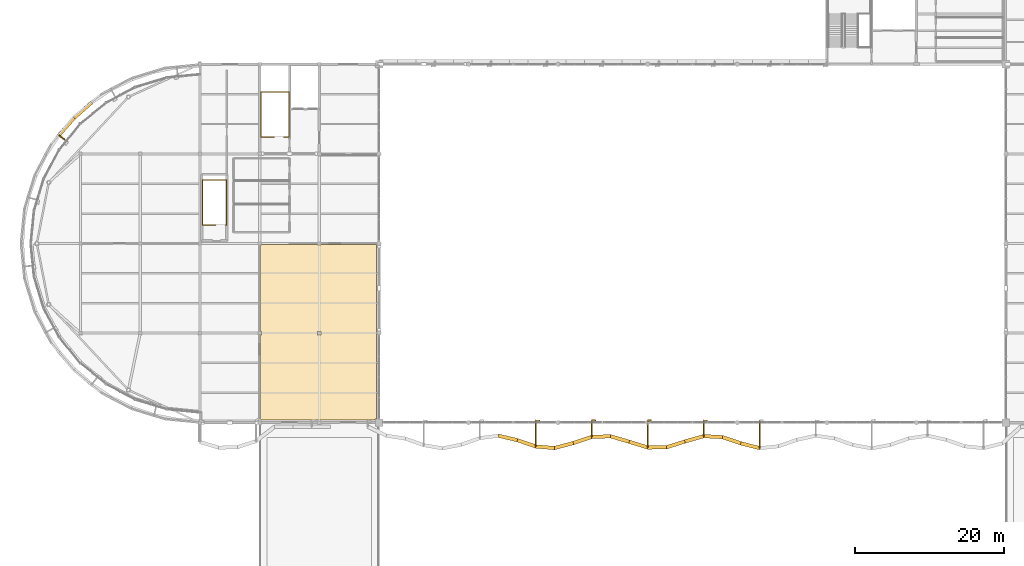
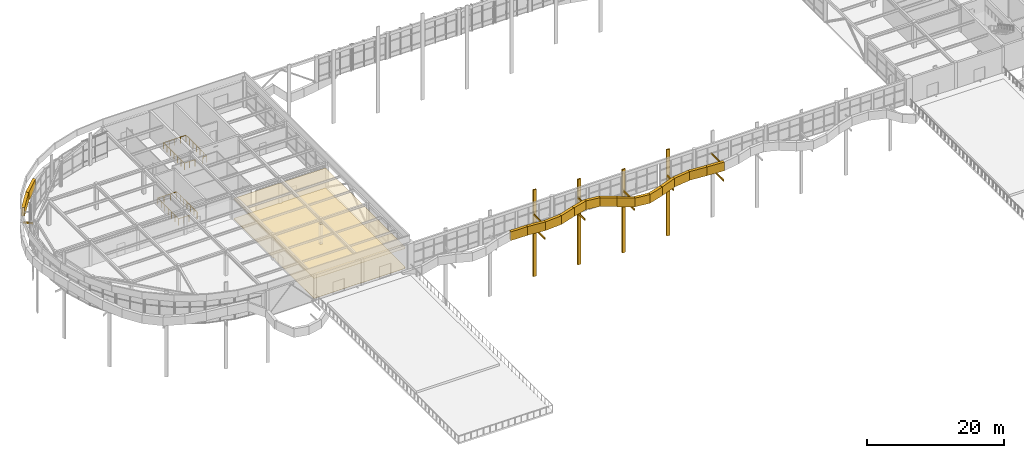
# One storey, part 52 of 63: 33 coverings, 2 railings.
"""IFC4 building model written with IfcOpenShell, lengths in metres."""

from ifc_helpers import new_model, si_unit, direction, frame, frame_2d, origin, origin_2d, place, context, subcontext, project, spatial, polyline, rectangle, circle, outline, extrude, material, layer, layer_set, type_object, element, save


model = new_model("IFC4")

# Units and contexts
model_context = context("Model", 3, precision=1e-05, world=origin(), true_north=direction((0.0, 1.0)))
body_context = subcontext(model_context, "Body", "Model", "MODEL_VIEW")
ifc_project = project(units=[si_unit("LENGTHUNIT", "METRE"), si_unit("AREAUNIT", "SQUARE_METRE"), si_unit("VOLUMEUNIT", "CUBIC_METRE"), si_unit("PLANEANGLEUNIT", "RADIAN"), si_unit("MASSUNIT", "GRAM", prefix="KILO")], contexts=[model_context])

# Site, building, storey
site_placement = place(None, origin())
site = spatial("IfcSite", under=ifc_project, at=site_placement, CompositionType="ELEMENT")
building_placement = place(site_placement, origin())
building = spatial("IfcBuilding", under=site, at=building_placement, Name="Keelwater Ferry Terminal", CompositionType="ELEMENT")
storey_placement = place(building_placement, frame((0.0, 0.0, 10.199951171875)))
storey = spatial("IfcBuildingStorey", under=building, at=storey_placement, Name="L02", CompositionType="ELEMENT", Elevation=10.199951171875)

# Coverings
ifc_material_1 = material(Name="Perforated acoustic gypsum board ceiling", Category="gypsum")
ifc_layer_1 = layer(ifc_material_1, 0.044921875)
ifc_layer_set_1 = layer_set([ifc_layer_1], Name="Perforated acoustic gypsum board ceiling")
covering_type_1 = type_object("IfcCoveringType", Name="CL-AC Acoustic Baffle Ceiling", PredefinedType="CEILING", material=ifc_layer_set_1)
covering_1_placement = place(storey_placement, frame((0.0, 0.0, 3.550048828125)))
element("IfcCovering", 1, at=covering_1_placement, inside=storey, type_object=covering_type_1, Name="Passenger Quiet Waiting Lounge Acoustic Ceiling", PredefinedType="CEILING", context=body_context, shape_type="SweptSolid", body=[
    extrude(outline(polyline([(32.1201171875, 54.237060546875), (32.1201171875, 54.2451171875), (32.1201171875, 65.7548828125), (32.1201171875, 65.762939453125), (32.12109375, 65.764892578125), (32.235107421875, 65.764892578125), (32.235107421875, 65.87890625), (32.237060546875, 65.8798828125), (32.2451171875, 65.8798828125), (39.7548828125, 65.8798828125), (39.762939453125, 65.8798828125), (39.764892578125, 65.87890625), (39.764892578125, 65.764892578125), (40.235107421875, 65.764892578125), (40.235107421875, 65.87890625), (40.237060546875, 65.8798828125), (40.2451171875, 65.8798828125), (47.60009765625, 65.8798828125), (47.60791015625, 65.8798828125), (47.615966796875, 65.8779296875), (47.623046875, 65.876953125), (47.631103515625, 65.8740234375), (47.637939453125, 65.87109375), (47.64404296875, 65.866943359375), (47.65087890625, 65.862060546875), (47.656982421875, 65.85693359375), (47.662109375, 65.85107421875), (47.6669921875, 65.843994140625), (47.6708984375, 65.837890625), (47.674072265625, 65.8310546875), (47.677001953125, 65.822998046875), (47.677978515625, 65.81591796875), (47.679931640625, 65.80810546875), (47.679931640625, 65.800048828125), (47.679931640625, 42.52001953125), (47.679931640625, 42.511962890625), (47.678955078125, 42.510009765625), (47.489990234375, 42.510009765625), (47.489990234375, 42.321044921875), (47.488037109375, 42.320068359375), (47.47998046875, 42.320068359375), (32.199951171875, 42.320068359375), (32.19189453125, 42.320068359375), (32.18408203125, 42.322021484375), (32.177001953125, 42.322998046875), (32.1689453125, 42.325927734375), (32.162109375, 42.3291015625), (32.156005859375, 42.3330078125), (32.14892578125, 42.337890625), (32.14306640625, 42.343017578125), (32.137939453125, 42.34912109375), (32.133056640625, 42.35595703125), (32.12890625, 42.362060546875), (32.1259765625, 42.368896484375), (32.123046875, 42.376953125), (32.1220703125, 42.384033203125), (32.1201171875, 42.39208984375), (32.1201171875, 42.39990234375), (32.1201171875, 53.7548828125), (32.1201171875, 53.762939453125), (32.12109375, 53.764892578125), (32.235107421875, 53.764892578125), (32.235107421875, 54.235107421875), (32.12109375, 54.235107421875), (32.1201171875, 54.237060546875)]), holes=[polyline([(39.764892578125, 54.235107421875), (39.764892578125, 53.764892578125), (40.235107421875, 53.764892578125), (40.235107421875, 54.235107421875), (39.764892578125, 54.235107421875)])]), origin(), (0.0, 0.0, 1.0), 0.044921875),
])
ifc_material_2 = material(Name="Polished mineral terrazzo tile", Category="stone")
ifc_layer_2 = layer(ifc_material_2, 0.030029296875)
ifc_layer_set_2 = layer_set([ifc_layer_2], Name="Polished mineral terrazzo tile")
covering_type_2 = type_object("IfcCoveringType", Name="FL-TZ Marine Terrazzo Flooring", PredefinedType="FLOORING", material=ifc_layer_set_2)
covering_2_placement = place(storey_placement, origin())
element("IfcCovering", 2, at=covering_2_placement, inside=storey, type_object=covering_type_2, Name="Passenger Quiet Waiting Lounge Terrazzo Floor", PredefinedType="FLOORING", context=body_context, shape_type="SweptSolid", body=[
    extrude(outline(polyline([(32.1201171875, 54.237060546875), (32.1201171875, 54.2451171875), (32.1201171875, 65.7548828125), (32.1201171875, 65.762939453125), (32.12109375, 65.764892578125), (32.235107421875, 65.764892578125), (32.235107421875, 65.87890625), (32.237060546875, 65.8798828125), (32.2451171875, 65.8798828125), (39.7548828125, 65.8798828125), (39.762939453125, 65.8798828125), (39.764892578125, 65.87890625), (39.764892578125, 65.764892578125), (40.235107421875, 65.764892578125), (40.235107421875, 65.87890625), (40.237060546875, 65.8798828125), (40.2451171875, 65.8798828125), (47.60009765625, 65.8798828125), (47.60791015625, 65.8798828125), (47.615966796875, 65.8779296875), (47.623046875, 65.876953125), (47.631103515625, 65.8740234375), (47.637939453125, 65.87109375), (47.64404296875, 65.866943359375), (47.65087890625, 65.862060546875), (47.656982421875, 65.85693359375), (47.662109375, 65.85107421875), (47.6669921875, 65.843994140625), (47.6708984375, 65.837890625), (47.674072265625, 65.8310546875), (47.677001953125, 65.822998046875), (47.677978515625, 65.81591796875), (47.679931640625, 65.80810546875), (47.679931640625, 65.800048828125), (47.679931640625, 42.52001953125), (47.679931640625, 42.511962890625), (47.678955078125, 42.510009765625), (47.489990234375, 42.510009765625), (47.489990234375, 42.321044921875), (47.488037109375, 42.320068359375), (47.47998046875, 42.320068359375), (32.199951171875, 42.320068359375), (32.19189453125, 42.320068359375), (32.18408203125, 42.322021484375), (32.177001953125, 42.322998046875), (32.1689453125, 42.325927734375), (32.162109375, 42.3291015625), (32.156005859375, 42.3330078125), (32.14892578125, 42.337890625), (32.14306640625, 42.343017578125), (32.137939453125, 42.34912109375), (32.133056640625, 42.35595703125), (32.12890625, 42.362060546875), (32.1259765625, 42.368896484375), (32.123046875, 42.376953125), (32.1220703125, 42.384033203125), (32.1201171875, 42.39208984375), (32.1201171875, 42.39990234375), (32.1201171875, 53.7548828125), (32.1201171875, 53.762939453125), (32.12109375, 53.764892578125), (32.235107421875, 53.764892578125), (32.235107421875, 54.235107421875), (32.12109375, 54.235107421875), (32.1201171875, 54.237060546875)]), holes=[polyline([(39.764892578125, 54.235107421875), (39.764892578125, 53.764892578125), (40.235107421875, 53.764892578125), (40.235107421875, 54.235107421875), (39.764892578125, 54.235107421875)])]), origin(), (0.0, 0.0, 1.0), 0.030029296875),
])

# Railings
ifc_material_3 = material(Name="Painted Steel S355", Category="steel")
railing_type = type_object("IfcRailingType", Name="GR-115 Stair Well Guardrail", PredefinedType="GUARDRAIL", material=ifc_material_3)
railing_1_placement = place(storey_placement, frame((33.929931640625, 80.260009765625, 0.0)))
element("IfcRailing", 3, at=railing_1_placement, inside=storey, type_object=railing_type, Name="Stair ST-C1-L01 Top Well Guard 11", PredefinedType="GUARDRAIL", context=body_context, shape_type="SweptSolid", body=[
    extrude(circle(Radius=0.02392578125, at=origin_2d()), frame((0.0, 0.0, 1.1259765625), z_axis=(-1.0, 0.0, 0.0), x_axis=(0.0, -1.0, 0.0)), (0.0, 0.0, 1.0), 1.77001953125),
    extrude(circle(Radius=0.02392578125, at=origin_2d()), frame((-1.77001953125, 0.0, 1.1259765625), z_axis=(0.0, 1.0, 0.0), x_axis=(-1.0, 0.0, 0.0)), (0.0, 0.0, 1.0), 6.06005859375),
    extrude(circle(Radius=0.02392578125, at=origin_2d()), frame((-1.77001953125, 6.06005859375, 1.1259765625), z_axis=(1.0, 0.0, 0.0), x_axis=(0.0, 1.0, 0.0)), (0.0, 0.0, 1.0), 3.780029296875),
    extrude(circle(Radius=0.02392578125, at=origin_2d()), frame((2.010009765625, 6.06005859375, 1.1259765625), z_axis=(0.0, -1.0, 0.0), x_axis=(1.0, 0.0, 0.0)), (0.0, 0.0, 1.0), 6.06005859375),
    extrude(circle(Radius=0.02392578125, at=origin_2d()), frame((2.010009765625, 0.0, 1.1259765625), z_axis=(-1.0, 0.0, 0.0), x_axis=(0.0, -1.0, 0.0)), (0.0, 0.0, 1.0), 0.699951171875),
    extrude(circle(Radius=0.02099609375, at=origin_2d()), origin(), (0.0, 0.0, 1.0), 1.101806640625),
    extrude(circle(Radius=0.02099609375, at=origin_2d()), frame((-0.885009765625, 0.0, 0.0)), (0.0, 0.0, 1.0), 1.101806640625),
    extrude(circle(Radius=0.02099609375, at=origin_2d()), frame((-1.77001953125, 0.0, 0.0)), (0.0, 0.0, 1.0), 1.101806640625),
    extrude(circle(Radius=0.02099609375, at=origin_2d()), frame((-1.77001953125, 1.010009765625, 0.0)), (0.0, 0.0, 1.0), 1.101806640625),
    extrude(circle(Radius=0.02099609375, at=origin_2d()), frame((-1.77001953125, 2.02001953125, 0.0)), (0.0, 0.0, 1.0), 1.101806640625),
    extrude(circle(Radius=0.02099609375, at=origin_2d()), frame((-1.77001953125, 3.030029296875, 0.0)), (0.0, 0.0, 1.0), 1.101806640625),
    extrude(circle(Radius=0.02099609375, at=origin_2d()), frame((-1.77001953125, 4.0400390625, 0.0)), (0.0, 0.0, 1.0), 1.101806640625),
    extrude(circle(Radius=0.02099609375, at=origin_2d()), frame((-1.77001953125, 5.050048828125, 0.0)), (0.0, 0.0, 1.0), 1.101806640625),
    extrude(circle(Radius=0.02099609375, at=origin_2d()), frame((-1.77001953125, 6.06005859375, 0.0)), (0.0, 0.0, 1.0), 1.101806640625),
    extrude(circle(Radius=0.02099609375, at=origin_2d()), frame((-0.824951171875, 6.06005859375, 0.0)), (0.0, 0.0, 1.0), 1.101806640625),
    extrude(circle(Radius=0.02099609375, at=origin_2d()), frame((0.1201171875, 6.06005859375, 0.0)), (0.0, 0.0, 1.0), 1.101806640625),
    extrude(circle(Radius=0.02099609375, at=origin_2d()), frame((1.06494140625, 6.06005859375, 0.0)), (0.0, 0.0, 1.0), 1.101806640625),
    extrude(circle(Radius=0.02099609375, at=origin_2d()), frame((2.010009765625, 6.06005859375, 0.0)), (0.0, 0.0, 1.0), 1.101806640625),
    extrude(circle(Radius=0.02099609375, at=origin_2d()), frame((2.010009765625, 5.050048828125, 0.0)), (0.0, 0.0, 1.0), 1.101806640625),
    extrude(circle(Radius=0.02099609375, at=origin_2d()), frame((2.010009765625, 4.0400390625, 0.0)), (0.0, 0.0, 1.0), 1.101806640625),
    extrude(circle(Radius=0.02099609375, at=origin_2d()), frame((2.010009765625, 3.030029296875, 0.0)), (0.0, 0.0, 1.0), 1.101806640625),
    extrude(circle(Radius=0.02099609375, at=origin_2d()), frame((2.010009765625, 2.02001953125, 0.0)), (0.0, 0.0, 1.0), 1.101806640625),
    extrude(circle(Radius=0.02099609375, at=origin_2d()), frame((2.010009765625, 1.010009765625, 0.0)), (0.0, 0.0, 1.0), 1.101806640625),
    extrude(circle(Radius=0.02099609375, at=origin_2d()), frame((2.010009765625, 0.0, 0.0)), (0.0, 0.0, 1.0), 1.101806640625),
    extrude(circle(Radius=0.02099609375, at=origin_2d()), frame((1.31005859375, 0.0, 0.0)), (0.0, 0.0, 1.0), 1.101806640625),
])
railing_2_placement = place(storey_placement, frame((26.1298828125, 68.4599609375, 0.0)))
element("IfcRailing", 4, at=railing_2_placement, inside=storey, type_object=railing_type, Name="Stair ST-W6-L01 Top Well Guard 114", PredefinedType="GUARDRAIL", context=body_context, shape_type="SweptSolid", body=[
    extrude(circle(Radius=0.02392578125, at=origin_2d()), frame((0.0, 0.0, 1.1259765625), z_axis=(-1.0, 0.0, 0.0), x_axis=(0.0, -1.0, 0.0)), (0.0, 0.0, 1.0), 1.769775390625),
    extrude(circle(Radius=0.02392578125, at=origin_2d()), frame((-1.769775390625, 0.0, 1.1259765625), z_axis=(0.0, 1.0, 0.0), x_axis=(-1.0, 0.0, 0.0)), (0.0, 0.0, 1.0), 6.06005859375),
    extrude(circle(Radius=0.02392578125, at=origin_2d()), frame((-1.769775390625, 6.06005859375, 1.1259765625), z_axis=(1.0, 0.0, 0.0), x_axis=(0.0, 1.0, 0.0)), (0.0, 0.0, 1.0), 3.199951171875),
    extrude(circle(Radius=0.02392578125, at=origin_2d()), frame((1.43017578125, 6.06005859375, 1.1259765625), z_axis=(0.0, -1.0, 0.0), x_axis=(1.0, 0.0, 0.0)), (0.0, 0.0, 1.0), 6.06005859375),
    extrude(circle(Radius=0.02392578125, at=origin_2d()), frame((1.43017578125, 0.0, 1.1259765625), z_axis=(-1.0, 0.0, 0.0), x_axis=(0.0, -1.0, 0.0)), (0.0, 0.0, 1.0), 0.1201171875),
    extrude(circle(Radius=0.02099609375, at=origin_2d()), origin(), (0.0, 0.0, 1.0), 1.101806640625),
    extrude(circle(Radius=0.02099609375, at=origin_2d()), frame((-0.884765625, 0.0, 0.0)), (0.0, 0.0, 1.0), 1.101806640625),
    extrude(circle(Radius=0.02099609375, at=origin_2d()), frame((-1.769775390625, 0.0, 0.0)), (0.0, 0.0, 1.0), 1.101806640625),
    extrude(circle(Radius=0.02099609375, at=origin_2d()), frame((-1.769775390625, 1.010009765625, 0.0)), (0.0, 0.0, 1.0), 1.101806640625),
    extrude(circle(Radius=0.02099609375, at=origin_2d()), frame((-1.769775390625, 2.02001953125, 0.0)), (0.0, 0.0, 1.0), 1.101806640625),
    extrude(circle(Radius=0.02099609375, at=origin_2d()), frame((-1.769775390625, 3.030029296875, 0.0)), (0.0, 0.0, 1.0), 1.101806640625),
    extrude(circle(Radius=0.02099609375, at=origin_2d()), frame((-1.769775390625, 4.0400390625, 0.0)), (0.0, 0.0, 1.0), 1.101806640625),
    extrude(circle(Radius=0.02099609375, at=origin_2d()), frame((-1.769775390625, 5.050048828125, 0.0)), (0.0, 0.0, 1.0), 1.101806640625),
    extrude(circle(Radius=0.02099609375, at=origin_2d()), frame((-1.769775390625, 6.06005859375, 0.0)), (0.0, 0.0, 1.0), 1.101806640625),
    extrude(circle(Radius=0.02099609375, at=origin_2d()), frame((-0.703125, 6.06005859375, 0.0)), (0.0, 0.0, 1.0), 1.101806640625),
    extrude(circle(Radius=0.02099609375, at=origin_2d()), frame((0.363525390625, 6.06005859375, 0.0)), (0.0, 0.0, 1.0), 1.101806640625),
    extrude(circle(Radius=0.02099609375, at=origin_2d()), frame((1.43017578125, 6.06005859375, 0.0)), (0.0, 0.0, 1.0), 1.101806640625),
    extrude(circle(Radius=0.02099609375, at=origin_2d()), frame((1.43017578125, 5.050048828125, 0.0)), (0.0, 0.0, 1.0), 1.101806640625),
    extrude(circle(Radius=0.02099609375, at=origin_2d()), frame((1.43017578125, 4.0400390625, 0.0)), (0.0, 0.0, 1.0), 1.101806640625),
    extrude(circle(Radius=0.02099609375, at=origin_2d()), frame((1.43017578125, 3.030029296875, 0.0)), (0.0, 0.0, 1.0), 1.101806640625),
    extrude(circle(Radius=0.02099609375, at=origin_2d()), frame((1.43017578125, 2.02001953125, 0.0)), (0.0, 0.0, 1.0), 1.101806640625),
    extrude(circle(Radius=0.02099609375, at=origin_2d()), frame((1.43017578125, 1.010009765625, 0.0)), (0.0, 0.0, 1.0), 1.101806640625),
    extrude(circle(Radius=0.02099609375, at=origin_2d()), frame((1.43017578125, 0.0, 0.0)), (0.0, 0.0, 1.0), 1.101806640625),
    extrude(circle(Radius=0.02099609375, at=origin_2d()), frame((1.31005859375, 0.0, 0.0)), (0.0, 0.0, 1.0), 1.101806640625),
])

# Coverings
ifc_material_4 = material(Name="Matte white architectural aluminium fascia ribbon", Category="aluminium")
ifc_layer_3 = layer(ifc_material_4, 0.1201171875)
ifc_layer_set_3 = layer_set([ifc_layer_3], Name="Matte white architectural aluminium fascia ribbon")
covering_type_3 = type_object("IfcCoveringType", Name="RB-WHT Matte White Fascia Ribbon", PredefinedType="CLADDING", material=ifc_layer_set_3)
covering_3_placement = place(storey_placement, frame((9.51806640625, 84.9140625, 1.60107421875), z_axis=(0.0, 0.0, 1.0), x_axis=(-0.75186441018, -0.65931776004, 0.0)))
element("IfcCovering", 5, at=covering_3_placement, inside=storey, type_object=covering_type_3, Name="Concourse Upper Wave Fascia Ribbon 195", PredefinedType="CLADDING", context=body_context, shape_type="SweptSolid", body=[
    extrude(outline(polyline([(0.0, 0.3369140625), (3.16552734375, 0.0), (3.16552734375, 1.550048828125), (0.0, 1.886962890625), (0.0, 0.3369140625)])), frame((0.0, 0.239990234375, 0.0), z_axis=(0.0, -1.0, 0.0), x_axis=(1.0, 0.0, 0.0)), (0.0, 0.0, 1.0), 0.47998046875),
])
covering_4_placement = place(storey_placement, frame((7.173095703125, 82.862060546875, 1.052001953125), z_axis=(0.0, 0.0, 1.0), x_axis=(-0.65931776004, -0.75186441018, 0.0)))
element("IfcCovering", 6, at=covering_4_placement, inside=storey, type_object=covering_type_3, Name="Concourse Upper Wave Fascia Ribbon 199", PredefinedType="CLADDING", context=body_context, shape_type="SweptSolid", body=[
    extrude(outline(polyline([(0.0, 0.549072265625), (3.16552734375, 0.0), (3.16552734375, 1.550048828125), (0.0, 2.09912109375), (0.0, 0.549072265625)])), frame((0.0, 0.239990234375, 0.0), z_axis=(0.0, -1.0, 0.0), x_axis=(1.0, 0.0, 0.0)), (0.0, 0.0, 1.0), 0.47998046875),
])
covering_5_placement = place(storey_placement, frame((5.10205078125, 80.5009765625, -0.25), z_axis=(0.0, 0.0, 1.0), x_axis=(0.793118257484, -0.609067672467, 0.0)))
element("IfcCovering", 7, at=covering_5_placement, inside=storey, type_object=covering_type_3, Name="Ribbon Slab Tie Bracket 210", PredefinedType="CLADDING", context=body_context, shape_type="SweptSolid", body=[
    extrude(rectangle(XDim=1.449951171875, YDim=0.159912109375, at=frame_2d((0.72509765625, 0.0))), origin(), (0.0, 0.0, 1.0), 0.300048828125),
])
covering_6_placement = place(storey_placement, frame((63.97607421875, 40.242919921875, 0.60107421875), z_axis=(0.0, 0.0, 1.0), x_axis=(0.973966350755, -0.226692628017, 0.0)))
element("IfcCovering", 8, at=covering_6_placement, inside=storey, type_object=covering_type_3, Name="Concourse Upper Wave Fascia Ribbon 389", PredefinedType="CLADDING", context=body_context, shape_type="SweptSolid", body=[
    extrude(outline(polyline([(0.0, 0.0), (2.615966796875, 0.43505859375), (2.615966796875, 1.98486328125), (0.0, 1.550048828125), (0.0, 0.0)])), frame((0.0, 0.239990234375, 0.0), z_axis=(0.0, -1.0, 0.0), x_axis=(1.0, 0.0, 0.0)), (0.0, 0.0, 1.0), 0.47998046875),
])
covering_7_placement = place(storey_placement, frame((66.47607421875, 39.6640625, 1.0361328125), z_axis=(0.0, 0.0, 1.0), x_axis=(0.946003140815, -0.324157457987, 0.0)))
element("IfcCovering", 9, at=covering_7_placement, inside=storey, type_object=covering_type_3, Name="Concourse Upper Wave Fascia Ribbon 393", PredefinedType="CLADDING", context=body_context, shape_type="SweptSolid", body=[
    extrude(outline(polyline([(0.0, 0.0), (2.693359375, 0.474853515625), (2.693359375, 2.02490234375), (0.0, 1.5498046875), (0.0, 0.0)])), frame((0.0, 0.239990234375, 0.0), z_axis=(0.0, -1.0, 0.0), x_axis=(1.0, 0.0, 0.0)), (0.0, 0.0, 1.0), 0.47998046875),
])
covering_8_placement = place(storey_placement, frame((68.97509765625, 38.801025390625, 1.510986328125), z_axis=(0.0, 0.0, 1.0), x_axis=(0.9964929164, -0.083677162743, 0.0)))
element("IfcCovering", 10, at=covering_8_placement, inside=storey, type_object=covering_type_3, Name="Concourse Upper Wave Fascia Ribbon 397", PredefinedType="CLADDING", context=body_context, shape_type="SweptSolid", body=[
    extrude(outline(polyline([(0.0, 0.0), (2.558837890625, 0.338134765625), (2.558837890625, 1.88818359375), (0.0, 1.550048828125), (0.0, 0.0)])), frame((0.0, 0.239990234375, 0.0), z_axis=(0.0, -1.0, 0.0), x_axis=(1.0, 0.0, 0.0)), (0.0, 0.0, 1.0), 0.47998046875),
])
covering_9_placement = place(storey_placement, frame((69.0, 38.799072265625, 2.14599609375), z_axis=(0.0, 0.0, 1.0), x_axis=(0.0, 1.0, 0.0)))
element("IfcCovering", 11, at=covering_9_placement, inside=storey, type_object=covering_type_3, Name="Ribbon Horizontal Tie Bracket 401", PredefinedType="CLADDING", context=body_context, shape_type="SweptSolid", body=[
    extrude(rectangle(XDim=3.450927734375, YDim=0.159912109375, at=frame_2d((1.7255859375, 0.0))), origin(), (0.0, 0.0, 1.0), 0.280029296875),
])
covering_10_placement = place(storey_placement, frame((69.0, 38.799072265625, -0.25), z_axis=(0.0, 0.0, 1.0), x_axis=(0.0, 1.0, 0.0)))
element("IfcCovering", 12, at=covering_10_placement, inside=storey, type_object=covering_type_3, Name="Ribbon Slab Tie Bracket 404", PredefinedType="CLADDING", context=body_context, shape_type="SweptSolid", body=[
    extrude(rectangle(XDim=3.450927734375, YDim=0.159912109375, at=frame_2d((1.7255859375, 0.0))), origin(), (0.0, 0.0, 1.0), 0.300048828125),
])
covering_11_placement = place(storey_placement, frame((68.97509765625, 42.251953125, -8.906005859375), z_axis=(0.0, 0.0, 1.0), x_axis=(0.996552113116, -0.082969186106, 0.0)))
element("IfcCovering", 13, at=covering_11_placement, inside=storey, type_object=covering_type_3, Name="Ribbon Recessed Support Mullion 406", PredefinedType="CLADDING", context=body_context, shape_type="SweptSolid", body=[
    extrude(outline(polyline([(0.0, 0.0), (0.529541015625, 0.0), (0.529541015625, 15.464111328125), (0.0, 15.464111328125), (0.0, 0.0)])), frame((0.0, 0.10009765625, 0.0), z_axis=(0.0, -1.0, 0.0), x_axis=(1.0, 0.0, 0.0)), (0.0, 0.0, 1.0), 0.199951171875),
])
covering_12_placement = place(storey_placement, frame((71.47607421875, 38.5830078125, 1.84912109375), z_axis=(0.0, 0.0, 1.0), x_axis=(0.966647246159, 0.256111502073, 0.0)))
element("IfcCovering", 14, at=covering_12_placement, inside=storey, type_object=covering_type_3, Name="Concourse Upper Wave Fascia Ribbon 409", PredefinedType="CLADDING", context=body_context, shape_type="SweptSolid", body=[
    extrude(outline(polyline([(0.0, 0.0), (2.6357421875, 0.1259765625), (2.6357421875, 1.676025390625), (0.0, 1.550048828125), (0.0, 0.0)])), frame((0.0, 0.239990234375, 0.0), z_axis=(0.0, -1.0, 0.0), x_axis=(1.0, 0.0, 0.0)), (0.0, 0.0, 1.0), 0.47998046875),
])
covering_13_placement = place(storey_placement, frame((73.97607421875, 39.243896484375, 1.8330078125), z_axis=(0.0, 0.0, 1.0), x_axis=(0.949922945862, 0.312484234682, 0.0)))
element("IfcCovering", 15, at=covering_13_placement, inside=storey, type_object=covering_type_3, Name="Concourse Upper Wave Fascia Ribbon 412", PredefinedType="CLADDING", context=body_context, shape_type="SweptSolid", body=[
    extrude(outline(polyline([(0.0, 0.14208984375), (2.68212890625, 0.0), (2.68212890625, 1.550048828125), (0.0, 1.692138671875), (0.0, 0.14208984375)])), frame((0.0, 0.239990234375, 0.0), z_axis=(0.0, -1.0, 0.0), x_axis=(1.0, 0.0, 0.0)), (0.0, 0.0, 1.0), 0.47998046875),
])
covering_14_placement = place(storey_placement, frame((76.47509765625, 40.072998046875, 1.486083984375), z_axis=(0.0, 0.0, 1.0), x_axis=(0.999263716325, 0.038366981065, 0.0)))
element("IfcCovering", 16, at=covering_14_placement, inside=storey, type_object=covering_type_3, Name="Concourse Upper Wave Fascia Ribbon 415", PredefinedType="CLADDING", context=body_context, shape_type="SweptSolid", body=[
    extrude(outline(polyline([(0.0, 0.346923828125), (2.5517578125, 0.0), (2.5517578125, 1.550048828125), (0.0, 1.89697265625), (0.0, 0.346923828125)])), frame((0.0, 0.239990234375, 0.0), z_axis=(0.0, -1.0, 0.0), x_axis=(1.0, 0.0, 0.0)), (0.0, 0.0, 1.0), 0.47998046875),
])
covering_15_placement = place(storey_placement, frame((76.5, 40.073974609375, 2.468017578125), z_axis=(0.0, 0.0, 1.0), x_axis=(0.0, 1.0, 0.0)))
element("IfcCovering", 17, at=covering_15_placement, inside=storey, type_object=covering_type_3, Name="Ribbon Horizontal Tie Bracket 419", PredefinedType="CLADDING", context=body_context, shape_type="SweptSolid", body=[
    extrude(rectangle(XDim=2.176025390625, YDim=0.159912109375, at=frame_2d((1.087890625, 0.0))), origin(), (0.0, 0.0, 1.0), 0.280029296875),
])
covering_16_placement = place(storey_placement, frame((76.5, 40.073974609375, -0.25), z_axis=(0.0, 0.0, 1.0), x_axis=(0.0, 1.0, 0.0)))
element("IfcCovering", 18, at=covering_16_placement, inside=storey, type_object=covering_type_3, Name="Ribbon Slab Tie Bracket 422", PredefinedType="CLADDING", context=body_context, shape_type="SweptSolid", body=[
    extrude(rectangle(XDim=2.176025390625, YDim=0.159912109375, at=frame_2d((1.087890625, 0.0))), origin(), (0.0, 0.0, 1.0), 0.300048828125),
])
covering_17_placement = place(storey_placement, frame((76.47509765625, 42.2490234375, -9.447021484375), z_axis=(0.0, 0.0, 1.0), x_axis=(0.999286796546, 0.037761067888, 0.0)))
element("IfcCovering", 19, at=covering_17_placement, inside=storey, type_object=covering_type_3, Name="Ribbon Recessed Support Mullion 424", PredefinedType="CLADDING", context=body_context, shape_type="SweptSolid", body=[
    extrude(outline(polyline([(0.0, 0.0), (0.5302734375, 0.0), (0.5302734375, 15.2431640625), (0.0, 15.2431640625), (0.0, 0.0)])), frame((0.0, 0.10009765625, 0.0), z_axis=(0.0, -1.0, 0.0), x_axis=(1.0, 0.0, 0.0)), (0.0, 0.0, 1.0), 0.199951171875),
])
covering_18_placement = place(storey_placement, frame((78.97607421875, 40.177001953125, 1.01513671875), z_axis=(0.0, 0.0, 1.0), x_axis=(0.959599440687, -0.281369709515, 0.0)))
element("IfcCovering", 20, at=covering_18_placement, inside=storey, type_object=covering_type_3, Name="Concourse Upper Wave Fascia Ribbon 427", PredefinedType="CLADDING", context=body_context, shape_type="SweptSolid", body=[
    extrude(outline(polyline([(0.0, 0.470947265625), (2.655029296875, 0.0), (2.655029296875, 1.5498046875), (0.0, 2.02099609375), (0.0, 0.470947265625)])), frame((0.0, 0.239990234375, 0.0), z_axis=(0.0, -1.0, 0.0), x_axis=(1.0, 0.0, 0.0)), (0.0, 0.0, 1.0), 0.47998046875),
])
covering_19_placement = place(storey_placement, frame((81.47607421875, 39.444091796875, 0.5771484375), z_axis=(0.0, 0.0, 1.0), x_axis=(0.955445837969, -0.295166479648, 0.0)))
element("IfcCovering", 21, at=covering_19_placement, inside=storey, type_object=covering_type_3, Name="Concourse Upper Wave Fascia Ribbon 431", PredefinedType="CLADDING", context=body_context, shape_type="SweptSolid", body=[
    extrude(outline(polyline([(0.0, 0.43798828125), (2.666748046875, 0.0), (2.666748046875, 1.5498046875), (0.0, 1.98779296875), (0.0, 0.43798828125)])), frame((0.0, 0.239990234375, 0.0), z_axis=(0.0, -1.0, 0.0), x_axis=(1.0, 0.0, 0.0)), (0.0, 0.0, 1.0), 0.47998046875),
])
covering_20_placement = place(storey_placement, frame((83.97509765625, 38.6640625, 0.319091796875), z_axis=(0.0, 0.0, 1.0), x_axis=(0.999972112646, 0.007468194637, 0.0)))
element("IfcCovering", 22, at=covering_20_placement, inside=storey, type_object=covering_type_3, Name="Concourse Upper Wave Fascia Ribbon 435", PredefinedType="CLADDING", context=body_context, shape_type="SweptSolid", body=[
    extrude(outline(polyline([(0.0, 0.258056640625), (2.5498046875, 0.0), (2.5498046875, 1.550048828125), (0.0, 1.807861328125), (0.0, 0.258056640625)])), frame((0.0, 0.239990234375, 0.0), z_axis=(0.0, -1.0, 0.0), x_axis=(1.0, 0.0, 0.0)), (0.0, 0.0, 1.0), 0.47998046875),
])
covering_21_placement = place(storey_placement, frame((84.0, 38.6640625, 1.212158203125), z_axis=(0.0, 0.0, 1.0), x_axis=(0.0, 1.0, 0.0)))
element("IfcCovering", 23, at=covering_21_placement, inside=storey, type_object=covering_type_3, Name="Ribbon Horizontal Tie Bracket 439", PredefinedType="CLADDING", context=body_context, shape_type="SweptSolid", body=[
    extrude(rectangle(XDim=3.5859375, YDim=0.159912109375, at=frame_2d((1.79296875, 0.0))), origin(), (0.0, 0.0, 1.0), 0.27978515625),
])
covering_22_placement = place(storey_placement, frame((84.0, 38.6640625, -0.25), z_axis=(0.0, 0.0, 1.0), x_axis=(0.0, 1.0, 0.0)))
element("IfcCovering", 24, at=covering_22_placement, inside=storey, type_object=covering_type_3, Name="Ribbon Slab Tie Bracket 442", PredefinedType="CLADDING", context=body_context, shape_type="SweptSolid", body=[
    extrude(rectangle(XDim=3.5859375, YDim=0.159912109375, at=frame_2d((1.79296875, 0.0))), origin(), (0.0, 0.0, 1.0), 0.300048828125),
])
covering_23_placement = place(storey_placement, frame((83.97509765625, 42.25, -9.949951171875), z_axis=(0.0, 0.0, 1.0), x_axis=(0.999972818539, 0.007373071473, 0.0)))
element("IfcCovering", 25, at=covering_23_placement, inside=storey, type_object=covering_type_3, Name="Ribbon Recessed Support Mullion 444", PredefinedType="CLADDING", context=body_context, shape_type="SweptSolid", body=[
    extrude(outline(polyline([(0.0, 0.0), (0.52978515625, 0.0), (0.52978515625, 14.8701171875), (0.0, 14.8701171875), (0.0, 0.0)])), frame((0.0, 0.10009765625, 0.0), z_axis=(0.0, -1.0, 0.0), x_axis=(1.0, 0.0, 0.0)), (0.0, 0.0, 1.0), 0.199951171875),
])
covering_24_placement = place(storey_placement, frame((86.47607421875, 38.675048828125, 0.301025390625), z_axis=(0.0, 0.0, 1.0), x_axis=(0.953335214088, 0.30191384463, 0.0)))
element("IfcCovering", 26, at=covering_24_placement, inside=storey, type_object=covering_type_3, Name="Concourse Upper Wave Fascia Ribbon 447", PredefinedType="CLADDING", context=body_context, shape_type="SweptSolid", body=[
    extrude(outline(polyline([(0.0, 0.01806640625), (2.672607421875, 0.0), (2.672607421875, 1.550048828125), (0.0, 1.568115234375), (0.0, 0.01806640625)])), frame((0.0, 0.239990234375, 0.0), z_axis=(0.0, -1.0, 0.0), x_axis=(1.0, 0.0, 0.0)), (0.0, 0.0, 1.0), 0.47998046875),
])
covering_25_placement = place(storey_placement, frame((88.97607421875, 39.467041015625, 0.301025390625), z_axis=(0.0, 0.0, 1.0), x_axis=(0.961832872249, 0.273637581229, 0.0)))
element("IfcCovering", 27, at=covering_25_placement, inside=storey, type_object=covering_type_3, Name="Concourse Upper Wave Fascia Ribbon 450", PredefinedType="CLADDING", context=body_context, shape_type="SweptSolid", body=[
    extrude(outline(polyline([(0.0, 0.0), (2.64892578125, 0.240966796875), (2.64892578125, 1.791015625), (0.0, 1.550048828125), (0.0, 0.0)])), frame((0.0, 0.239990234375, 0.0), z_axis=(0.0, -1.0, 0.0), x_axis=(1.0, 0.0, 0.0)), (0.0, 0.0, 1.0), 0.47998046875),
])
covering_26_placement = place(storey_placement, frame((91.47509765625, 40.18603515625, 0.5419921875), z_axis=(0.0, 0.0, 1.0), x_axis=(0.998580872476, -0.053256371694, 0.0)))
element("IfcCovering", 28, at=covering_26_placement, inside=storey, type_object=covering_type_3, Name="Concourse Upper Wave Fascia Ribbon 453", PredefinedType="CLADDING", context=body_context, shape_type="SweptSolid", body=[
    extrude(outline(polyline([(0.0, 0.0), (2.553466796875, 0.406005859375), (2.553466796875, 1.9560546875), (0.0, 1.550048828125), (0.0, 0.0)])), frame((0.0, 0.239990234375, 0.0), z_axis=(0.0, -1.0, 0.0), x_axis=(1.0, 0.0, 0.0)), (0.0, 0.0, 1.0), 0.47998046875),
])
covering_27_placement = place(storey_placement, frame((91.5, 40.18505859375, 1.177001953125), z_axis=(0.0, 0.0, 1.0), x_axis=(0.0, 1.0, 0.0)))
element("IfcCovering", 29, at=covering_27_placement, inside=storey, type_object=covering_type_3, Name="Ribbon Horizontal Tie Bracket 457", PredefinedType="CLADDING", context=body_context, shape_type="SweptSolid", body=[
    extrude(rectangle(XDim=2.06494140625, YDim=0.159912109375, at=frame_2d((1.032470703125, 0.0))), origin(), (0.0, 0.0, 1.0), 0.280029296875),
])
covering_28_placement = place(storey_placement, frame((91.5, 40.18505859375, -0.25), z_axis=(0.0, 0.0, 1.0), x_axis=(0.0, 1.0, 0.0)))
element("IfcCovering", 30, at=covering_28_placement, inside=storey, type_object=covering_type_3, Name="Ribbon Slab Tie Bracket 460", PredefinedType="CLADDING", context=body_context, shape_type="SweptSolid", body=[
    extrude(rectangle(XDim=2.06494140625, YDim=0.159912109375, at=frame_2d((1.032470703125, 0.0))), origin(), (0.0, 0.0, 1.0), 0.300048828125),
])
covering_29_placement = place(storey_placement, frame((91.47509765625, 42.2509765625, -9.5439453125), z_axis=(0.0, 0.0, 1.0), x_axis=(0.998593525729, -0.053018585161, 0.0)))
element("IfcCovering", 31, at=covering_29_placement, inside=storey, type_object=covering_type_3, Name="Ribbon Recessed Support Mullion 462", PredefinedType="CLADDING", context=body_context, shape_type="SweptSolid", body=[
    extrude(outline(polyline([(0.0, 0.0), (0.529541015625, 0.0), (0.529541015625, 15.39111328125), (0.0, 15.39111328125), (0.0, 0.0)])), frame((0.0, 0.10009765625, 0.0), z_axis=(0.0, -1.0, 0.0), x_axis=(1.0, 0.0, 0.0)), (0.0, 0.0, 1.0), 0.199951171875),
])
covering_30_placement = place(storey_placement, frame((93.97607421875, 40.05908203125, 0.947998046875), z_axis=(0.0, 0.0, 1.0), x_axis=(0.948483159873, -0.31682754842, 0.0)))
element("IfcCovering", 32, at=covering_30_placement, inside=storey, type_object=covering_type_3, Name="Concourse Upper Wave Fascia Ribbon 464", PredefinedType="CLADDING", context=body_context, shape_type="SweptSolid", body=[
    extrude(outline(polyline([(0.0, 0.0), (2.686279296875, 0.48095703125), (2.686279296875, 2.031005859375), (0.0, 1.550048828125), (0.0, 0.0)])), frame((0.0, 0.239990234375, 0.0), z_axis=(0.0, -1.0, 0.0), x_axis=(1.0, 0.0, 0.0)), (0.0, 0.0, 1.0), 0.47998046875),
])
covering_31_placement = place(storey_placement, frame((96.47607421875, 39.221923828125, 1.428955078125), z_axis=(0.0, 0.0, 1.0), x_axis=(0.969062454422, -0.246815638545, 0.0)))
element("IfcCovering", 33, at=covering_31_placement, inside=storey, type_object=covering_type_3, Name="Concourse Upper Wave Fascia Ribbon 468", PredefinedType="CLADDING", context=body_context, shape_type="SweptSolid", body=[
    extrude(outline(polyline([(0.0, 0.0), (2.629150390625, 0.3759765625), (2.629150390625, 1.926025390625), (0.0, 1.550048828125), (0.0, 0.0)])), frame((0.0, 0.239990234375, 0.0), z_axis=(0.0, -1.0, 0.0), x_axis=(1.0, 0.0, 0.0)), (0.0, 0.0, 1.0), 0.47998046875),
])
covering_32_placement = place(storey_placement, frame((99.0, 38.5791015625, 2.43994140625), z_axis=(0.0, 0.0, 1.0), x_axis=(0.0, 1.0, 0.0)))
element("IfcCovering", 34, at=covering_32_placement, inside=storey, type_object=covering_type_3, Name="Ribbon Horizontal Tie Bracket 476", PredefinedType="CLADDING", context=body_context, shape_type="SweptSolid", body=[
    extrude(rectangle(XDim=3.6708984375, YDim=0.159912109375, at=frame_2d((1.83544921875, 0.0))), origin(), (0.0, 0.0, 1.0), 0.280029296875),
])
covering_33_placement = place(storey_placement, frame((99.0, 38.5791015625, -0.25), z_axis=(0.0, 0.0, 1.0), x_axis=(0.0, 1.0, 0.0)))
element("IfcCovering", 35, at=covering_33_placement, inside=storey, type_object=covering_type_3, Name="Ribbon Slab Tie Bracket 479", PredefinedType="CLADDING", context=body_context, shape_type="SweptSolid", body=[
    extrude(rectangle(XDim=3.6708984375, YDim=0.159912109375, at=frame_2d((1.83544921875, 0.0))), origin(), (0.0, 0.0, 1.0), 0.300048828125),
])

save(model, "model.ifc")
